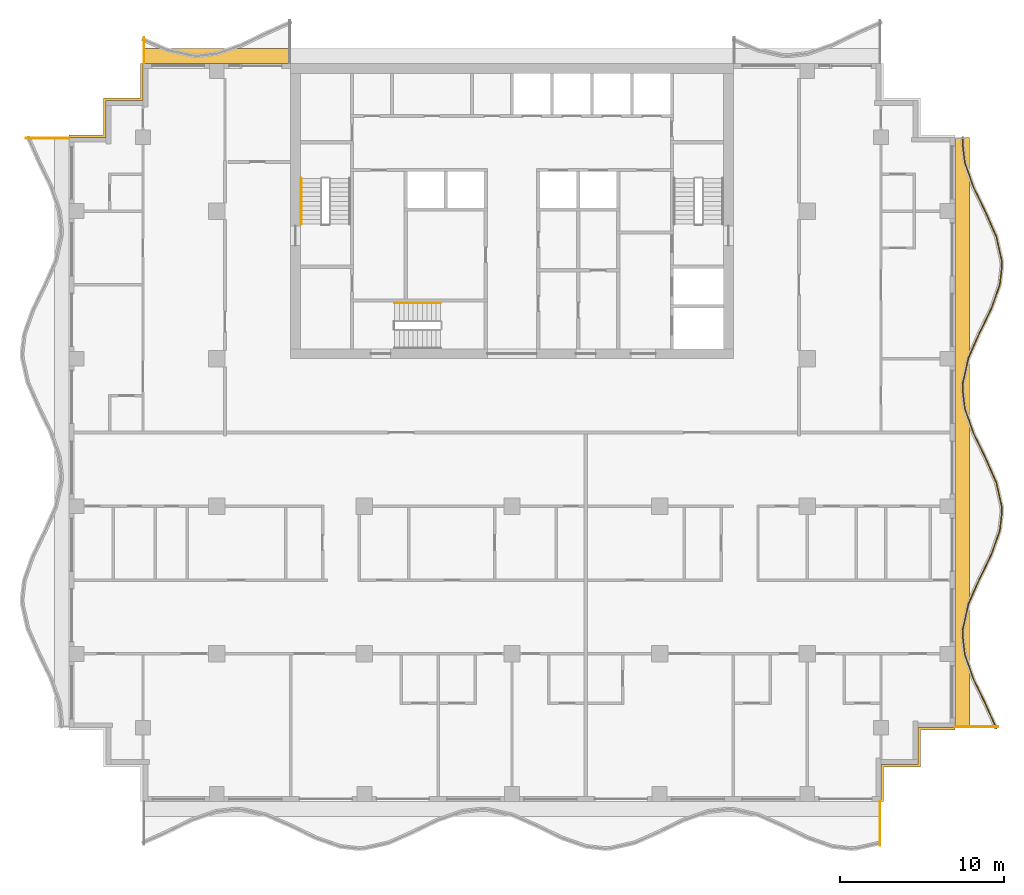
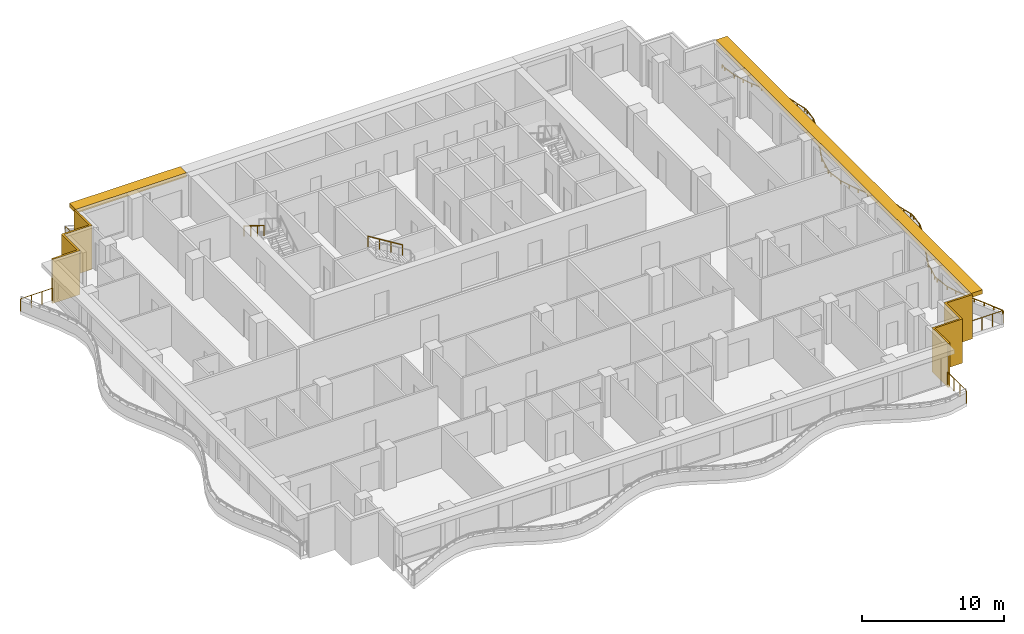
# One storey, part 10 of 11: 7 railings, 4 shading devices.
"""IFC4 building model written with IfcOpenShell, lengths in metres."""

from ifc_helpers import new_model, si_unit, direction, frame, origin, origin_2d, place, context, subcontext, project, spatial, polyline, rectangle, circle, outline, extrude, material, layer, layer_set, type_object, element, save


model = new_model("IFC4")

# Units and contexts
model_context = context("Model", 3, precision=1e-05, world=origin(), true_north=direction((0.0, 1.0)))
body_context = subcontext(model_context, "Body", "Model", "MODEL_VIEW")
ifc_project = project(units=[si_unit("LENGTHUNIT", "METRE"), si_unit("AREAUNIT", "SQUARE_METRE"), si_unit("VOLUMEUNIT", "CUBIC_METRE"), si_unit("PLANEANGLEUNIT", "RADIAN"), si_unit("MASSUNIT", "GRAM", prefix="KILO")], contexts=[model_context])

# Site, building, storey
site_placement = place(None, origin())
site = spatial("IfcSite", under=ifc_project, at=site_placement, CompositionType="ELEMENT")
building_placement = place(site_placement, origin())
building = spatial("IfcBuilding", under=site, at=building_placement, Name="Orbiselva Terraces", CompositionType="ELEMENT")
storey_placement = place(building_placement, frame((0.0, 0.0, 254.0)))
storey = spatial("IfcBuildingStorey", under=building, at=storey_placement, Name="L64", CompositionType="ELEMENT", Elevation=254.0)

# Railings
ifc_material_1 = material(Name="Stainless steel", Category="steel")
railing_type_1 = type_object("IfcRailingType", Name="CORE-HANDRAIL-900", PredefinedType="HANDRAIL", material=ifc_material_1)
railing_1_placement = place(storey_placement, frame((-12.85, 15.5, 2.072727)))
element("IfcRailing", 1, at=railing_1_placement, inside=storey, type_object=railing_type_1, Name="L64 S1 stair handrail 2", PredefinedType="HANDRAIL", context=body_context, shape_type="SweptSolid", body=[
    extrude(circle(Radius=0.024, at=origin_2d()), frame((0.0, 0.0, 0.876), z_axis=(0.0, -0.851088519012, 0.52502222125), x_axis=(1.0, 0.0, 0.0)), (0.0, 0.0, 1.0), 3.289905),
    extrude(circle(Radius=0.021, at=origin_2d()), origin(), (0.0, 0.0, 1.0), 0.852),
    extrude(circle(Radius=0.021, at=origin_2d()), frame((0.0, -0.933333, 0.575758)), (0.0, 0.0, 1.0), 0.852),
    extrude(circle(Radius=0.021, at=origin_2d()), frame((0.0, -1.866667, 1.151515)), (0.0, 0.0, 1.0), 0.852),
    extrude(circle(Radius=0.021, at=origin_2d()), frame((0.0, -2.8, 1.727273)), (0.0, 0.0, 1.0), 0.852),
])
railing_2_placement = place(storey_placement, frame((-4.35, 7.9, 2.072727)))
element("IfcRailing", 2, at=railing_2_placement, inside=storey, type_object=railing_type_1, Name="L64 S3 stair handrail 2", PredefinedType="HANDRAIL", context=body_context, shape_type="SweptSolid", body=[
    extrude(circle(Radius=0.024, at=origin_2d()), frame((0.0, 0.0, 0.876), z_axis=(-0.851088519012, 0.0, 0.52502222125), x_axis=(0.0, -1.0, 0.0)), (0.0, 0.0, 1.0), 3.289905),
    extrude(circle(Radius=0.021, at=origin_2d()), origin(), (0.0, 0.0, 1.0), 0.852),
    extrude(circle(Radius=0.021, at=origin_2d()), frame((-0.933333, 0.0, 0.575758)), (0.0, 0.0, 1.0), 0.852),
    extrude(circle(Radius=0.021, at=origin_2d()), frame((-1.866667, 0.0, 1.151515)), (0.0, 0.0, 1.0), 0.852),
    extrude(circle(Radius=0.021, at=origin_2d()), frame((-2.8, 0.0, 1.727273)), (0.0, 0.0, 1.0), 0.852),
])
ifc_material_2 = material(Name="Bonded two-ply safety glass balustrade, stainless steel posts", Category="steel")
railing_type_2 = type_object("IfcRailingType", Name="ENV-BALUSTRADE-1200", PredefinedType="BALUSTRADE", material=ifc_material_2)
railing_3_placement = place(storey_placement, frame((29.534136, -18.050394, 0.9)))
element("IfcRailing", 3, at=railing_3_placement, inside=storey, type_object=railing_type_2, Name="Balcony balustrade L64 E", PredefinedType="BALUSTRADE", context=body_context, shape_type="SweptSolid", body=[
    extrude(outline(polyline([(0.028868, 0.0), (0.014434, 0.025), (-0.014434, 0.025), (-0.028868, 0.0), (-0.014434, -0.025), (0.014434, -0.025), (0.028868, 0.0)])), frame((0.0, 0.0, 0.275), z_axis=(-0.403150940408, 0.915133498047, 0.0), x_axis=(-0.915133498047, -0.403150940408, 0.0)), (0.0, 0.0, 1.0), 1.636648),
    extrude(outline(polyline([(0.028868, 0.0), (0.014434, 0.025), (-0.014434, 0.025), (-0.028868, 0.0), (-0.014434, -0.025), (0.014434, -0.025), (0.028868, 0.0)])), frame((-0.659816, 1.497751, 0.275), z_axis=(-0.438812048596, 0.898578870221, 0.0), x_axis=(-0.898578870221, -0.438812048596, 0.0)), (0.0, 0.0, 1.0), 1.674225),
    extrude(outline(polyline([(0.028868, 0.0), (0.014434, 0.025), (-0.014434, 0.025), (-0.028868, 0.0), (-0.014434, -0.025), (0.014434, -0.025), (0.028868, 0.0)])), frame((-1.394486, 3.002174, 0.275), z_axis=(-0.330024597479, 0.943972332783, 0.0), x_axis=(-0.943972332783, -0.330024597479, 0.0)), (0.0, 0.0, 1.0), 1.610253),
    extrude(outline(polyline([(0.028868, 0.0), (0.014434, 0.025), (-0.014434, 0.025), (-0.028868, 0.0), (-0.014434, -0.025), (0.014434, -0.025), (0.028868, 0.0)])), frame((-1.925909, 4.522208, 0.275), z_axis=(-0.115482182324, 0.993309551734, 0.0), x_axis=(-0.993309551734, -0.115482182324, 0.0)), (0.0, 0.0, 1.0), 1.156135),
    extrude(outline(polyline([(0.028868, 0.0), (0.014434, 0.025), (-0.014434, 0.025), (-0.028868, 0.0), (-0.014434, -0.025), (0.014434, -0.025), (0.028868, 0.0)])), frame((-2.059422, 5.670608, 0.275), z_axis=(0.03936915532, 0.999224734286, 0.0), x_axis=(-0.999224734286, 0.03936915532, 0.0)), (0.0, 0.0, 1.0), 0.396376),
    extrude(outline(polyline([(0.028868, 0.0), (0.014434, 0.025), (-0.014434, 0.025), (-0.028868, 0.0), (-0.014434, -0.025), (0.014434, -0.025), (0.028868, 0.0)])), frame((-2.043817, 6.066677, 0.275), z_axis=(0.219015500924, 0.97572137947, 0.0), x_axis=(-0.97572137947, 0.219015500924, 0.0)), (0.0, 0.0, 1.0), 1.560867),
    extrude(outline(polyline([(0.028868, 0.0), (0.014434, 0.025), (-0.014434, 0.025), (-0.028868, 0.0), (-0.014434, -0.025), (0.014434, -0.025), (0.028868, 0.0)])), frame((-1.701963, 7.589648, 0.275), z_axis=(0.403150874148, 0.915133527237, 0.0), x_axis=(-0.915133527237, 0.403150874148, 0.0)), (0.0, 0.0, 1.0), 1.653736),
    extrude(outline(polyline([(0.028868, 0.0), (0.014434, 0.025), (-0.014434, 0.025), (-0.028868, 0.0), (-0.014434, -0.025), (0.014434, -0.025), (0.028868, 0.0)])), frame((-1.035258, 9.103037, 0.275), z_axis=(0.438811978768, 0.89857890432, 0.0), x_axis=(-0.89857890432, 0.438811978768, 0.0)), (0.0, 0.0, 1.0), 1.66438),
    extrude(outline(polyline([(0.028868, 0.0), (0.014434, 0.025), (-0.014434, 0.025), (-0.028868, 0.0), (-0.014434, -0.025), (0.014434, -0.025), (0.028868, 0.0)])), frame((-0.304908, 10.598614, 0.275), z_axis=(0.330024754707, 0.943972277814, 0.0), x_axis=(-0.943972277814, 0.330024754707, 0.0)), (0.0, 0.0, 1.0), 1.567807),
    extrude(outline(polyline([(0.028868, 0.0), (0.014434, 0.025), (-0.014434, 0.025), (-0.028868, 0.0), (-0.014434, -0.025), (0.014434, -0.025), (0.028868, 0.0)])), frame((0.212507, 12.07858, 0.275), z_axis=(0.115481264762, 0.993309658409, 0.0), x_axis=(-0.993309658409, 0.115481264762, 0.0)), (0.0, 0.0, 1.0), 1.10902),
    extrude(outline(polyline([(0.028868, 0.0), (0.014434, 0.025), (-0.014434, 0.025), (-0.028868, 0.0), (-0.014434, -0.025), (0.014434, -0.025), (0.028868, 0.0)])), frame((0.340578, 13.18018, 0.275), z_axis=(-0.039364150694, 0.999224931454, 0.0), x_axis=(-0.999224931454, -0.039364150694, 0.0)), (0.0, 0.0, 1.0), 0.354206),
    extrude(outline(polyline([(0.028868, 0.0), (0.014434, 0.025), (-0.014434, 0.025), (-0.028868, 0.0), (-0.014434, -0.025), (0.014434, -0.025), (0.028868, 0.0)])), frame((0.326635, 13.534111, 0.275), z_axis=(-0.219015740235, 0.975721325753, 0.0), x_axis=(-0.975721325753, -0.219015740235, 0.0)), (0.0, 0.0, 1.0), 1.513782),
    extrude(outline(polyline([(0.028868, 0.0), (0.014434, 0.025), (-0.014434, 0.025), (-0.028868, 0.0), (-0.014434, -0.025), (0.014434, -0.025), (0.028868, 0.0)])), frame((-0.004907, 15.01114, 0.275), z_axis=(-0.403151245402, 0.915133363686, 0.0), x_axis=(-0.915133363686, -0.403151245402, 0.0)), (0.0, 0.0, 1.0), 1.624475),
    extrude(outline(polyline([(0.028868, 0.0), (0.014434, 0.025), (-0.014434, 0.025), (-0.028868, 0.0), (-0.014434, -0.025), (0.014434, -0.025), (0.028868, 0.0)])), frame((-0.659816, 16.497751, 0.275), z_axis=(-0.438812048596, 0.898578870221, 0.0), x_axis=(-0.898578870221, -0.438812048596, 0.0)), (0.0, 0.0, 1.0), 1.674225),
    extrude(outline(polyline([(0.028868, 0.0), (0.014434, 0.025), (-0.014434, 0.025), (-0.028868, 0.0), (-0.014434, -0.025), (0.014434, -0.025), (0.028868, 0.0)])), frame((-1.394486, 18.002174, 0.275), z_axis=(-0.330024597479, 0.943972332783, 0.0), x_axis=(-0.943972332783, -0.330024597479, 0.0)), (0.0, 0.0, 1.0), 1.610253),
    extrude(outline(polyline([(0.028868, 0.0), (0.014434, 0.025), (-0.014434, 0.025), (-0.028868, 0.0), (-0.014434, -0.025), (0.014434, -0.025), (0.028868, 0.0)])), frame((-1.925909, 19.522208, 0.275), z_axis=(-0.115482182324, 0.993309551734, 0.0), x_axis=(-0.993309551734, -0.115482182324, 0.0)), (0.0, 0.0, 1.0), 1.156135),
    extrude(outline(polyline([(0.028868, 0.0), (0.014434, 0.025), (-0.014434, 0.025), (-0.028868, 0.0), (-0.014434, -0.025), (0.014434, -0.025), (0.028868, 0.0)])), frame((-2.059422, 20.670608, 0.275), z_axis=(0.03936915532, 0.999224734286, 0.0), x_axis=(-0.999224734286, 0.03936915532, 0.0)), (0.0, 0.0, 1.0), 0.396376),
    extrude(outline(polyline([(0.028868, 0.0), (0.014434, 0.025), (-0.014434, 0.025), (-0.028868, 0.0), (-0.014434, -0.025), (0.014434, -0.025), (0.028868, 0.0)])), frame((-2.043817, 21.066677, 0.275), z_axis=(0.219015500924, 0.97572137947, 0.0), x_axis=(-0.97572137947, 0.219015500924, 0.0)), (0.0, 0.0, 1.0), 1.560867),
    extrude(outline(polyline([(0.028868, 0.0), (0.014434, 0.025), (-0.014434, 0.025), (-0.028868, 0.0), (-0.014434, -0.025), (0.014434, -0.025), (0.028868, 0.0)])), frame((-1.701963, 22.589648, 0.275), z_axis=(0.403150874148, 0.915133527237, 0.0), x_axis=(-0.915133527237, 0.403150874148, 0.0)), (0.0, 0.0, 1.0), 1.653736),
    extrude(outline(polyline([(0.028868, 0.0), (0.014434, 0.025), (-0.014434, 0.025), (-0.028868, 0.0), (-0.014434, -0.025), (0.014434, -0.025), (0.028868, 0.0)])), frame((-1.035258, 24.103037, 0.275), z_axis=(0.438811978768, 0.89857890432, 0.0), x_axis=(-0.89857890432, 0.438811978768, 0.0)), (0.0, 0.0, 1.0), 1.66438),
    extrude(outline(polyline([(0.028868, 0.0), (0.014434, 0.025), (-0.014434, 0.025), (-0.028868, 0.0), (-0.014434, -0.025), (0.014434, -0.025), (0.028868, 0.0)])), frame((-0.304908, 25.598614, 0.275), z_axis=(0.330024754707, 0.943972277814, 0.0), x_axis=(-0.943972277814, 0.330024754707, 0.0)), (0.0, 0.0, 1.0), 1.567807),
    extrude(outline(polyline([(0.028868, 0.0), (0.014434, 0.025), (-0.014434, 0.025), (-0.028868, 0.0), (-0.014434, -0.025), (0.014434, -0.025), (0.028868, 0.0)])), frame((0.212507, 27.07858, 0.275), z_axis=(0.115481264762, 0.993309658409, 0.0), x_axis=(-0.993309658409, 0.115481264762, 0.0)), (0.0, 0.0, 1.0), 1.10902),
    extrude(outline(polyline([(0.028868, 0.0), (0.014434, 0.025), (-0.014434, 0.025), (-0.028868, 0.0), (-0.014434, -0.025), (0.014434, -0.025), (0.028868, 0.0)])), frame((0.340578, 28.18018, 0.275), z_axis=(-0.039364150694, 0.999224931454, 0.0), x_axis=(-0.999224931454, -0.039364150694, 0.0)), (0.0, 0.0, 1.0), 0.354206),
    extrude(outline(polyline([(0.028868, 0.0), (0.014434, 0.025), (-0.014434, 0.025), (-0.028868, 0.0), (-0.014434, -0.025), (0.014434, -0.025), (0.028868, 0.0)])), frame((0.326635, 28.534111, 0.275), z_axis=(-0.219015740235, 0.975721325753, 0.0), x_axis=(-0.975721325753, -0.219015740235, 0.0)), (0.0, 0.0, 1.0), 1.513782),
    extrude(outline(polyline([(0.028868, 0.0), (0.014434, 0.025), (-0.014434, 0.025), (-0.028868, 0.0), (-0.014434, -0.025), (0.014434, -0.025), (0.028868, 0.0)])), frame((-0.004907, 30.01114, 0.275), z_axis=(-0.403151245402, 0.915133363686, 0.0), x_axis=(-0.915133363686, -0.403151245402, 0.0)), (0.0, 0.0, 1.0), 1.624475),
    extrude(outline(polyline([(0.028868, 0.0), (0.014434, 0.025), (-0.014434, 0.025), (-0.028868, 0.0), (-0.014434, -0.025), (0.014434, -0.025), (0.028868, 0.0)])), frame((-0.659816, 31.497751, 0.275), z_axis=(-0.438812048596, 0.898578870221, 0.0), x_axis=(-0.898578870221, -0.438812048596, 0.0)), (0.0, 0.0, 1.0), 1.674225),
    extrude(outline(polyline([(0.028868, 0.0), (0.014434, 0.025), (-0.014434, 0.025), (-0.028868, 0.0), (-0.014434, -0.025), (0.014434, -0.025), (0.028868, 0.0)])), frame((-1.394486, 33.002174, 0.275), z_axis=(-0.330024597479, 0.943972332783, 0.0), x_axis=(-0.943972332783, -0.330024597479, 0.0)), (0.0, 0.0, 1.0), 1.610253),
    extrude(outline(polyline([(0.028868, 0.0), (0.014434, 0.025), (-0.014434, 0.025), (-0.028868, 0.0), (-0.014434, -0.025), (0.014434, -0.025), (0.028868, 0.0)])), frame((-1.925909, 34.522208, 0.275), z_axis=(-0.115482182324, 0.993309551734, 0.0), x_axis=(-0.993309551734, -0.115482182324, 0.0)), (0.0, 0.0, 1.0), 1.156135),
    extrude(outline(polyline([(0.028868, 0.0), (0.014434, 0.025), (-0.014434, 0.025), (-0.028868, 0.0), (-0.014434, -0.025), (0.014434, -0.025), (0.028868, 0.0)])), frame((-2.059422, 35.670608, 0.275), z_axis=(0.039368272023, 0.999224769087, 0.0), x_axis=(-0.999224769087, 0.039368272023, 0.0)), (0.0, 0.0, 1.0), 0.385005),
    extrude(rectangle(XDim=0.05, YDim=0.05, at=origin_2d()), origin(), (0.0, 0.0, 1.0), 0.25),
    extrude(rectangle(XDim=0.05, YDim=0.05, at=origin_2d()), frame((-0.329908, 0.748876, 0.0)), (0.0, 0.0, 1.0), 0.25),
    extrude(rectangle(XDim=0.05, YDim=0.05, at=origin_2d()), frame((-0.659816, 1.497751, 0.0)), (0.0, 0.0, 1.0), 0.25),
    extrude(rectangle(XDim=0.05, YDim=0.05, at=origin_2d()), frame((-1.027151, 2.249963, 0.0)), (0.0, 0.0, 1.0), 0.25),
    extrude(rectangle(XDim=0.05, YDim=0.05, at=origin_2d()), frame((-1.394486, 3.002174, 0.0)), (0.0, 0.0, 1.0), 0.25),
    extrude(rectangle(XDim=0.05, YDim=0.05, at=origin_2d()), frame((-1.660198, 3.762191, 0.0)), (0.0, 0.0, 1.0), 0.25),
    extrude(rectangle(XDim=0.05, YDim=0.05, at=origin_2d()), frame((-1.925909, 4.522208, 0.0)), (0.0, 0.0, 1.0), 0.25),
    extrude(rectangle(XDim=0.05, YDim=0.05, at=origin_2d()), frame((-2.059422, 5.670608, 0.0)), (0.0, 0.0, 1.0), 0.25),
    extrude(rectangle(XDim=0.05, YDim=0.05, at=origin_2d()), frame((-2.043817, 6.066677, 0.0)), (0.0, 0.0, 1.0), 0.25),
    extrude(rectangle(XDim=0.05, YDim=0.05, at=origin_2d()), frame((-1.87289, 6.828162, 0.0)), (0.0, 0.0, 1.0), 0.25),
    extrude(rectangle(XDim=0.05, YDim=0.05, at=origin_2d()), frame((-1.701963, 7.589648, 0.0)), (0.0, 0.0, 1.0), 0.25),
    extrude(rectangle(XDim=0.05, YDim=0.05, at=origin_2d()), frame((-1.36861, 8.346342, 0.0)), (0.0, 0.0, 1.0), 0.25),
    extrude(rectangle(XDim=0.05, YDim=0.05, at=origin_2d()), frame((-1.035258, 9.103037, 0.0)), (0.0, 0.0, 1.0), 0.25),
    extrude(rectangle(XDim=0.05, YDim=0.05, at=origin_2d()), frame((-0.670083, 9.850826, 0.0)), (0.0, 0.0, 1.0), 0.25),
    extrude(rectangle(XDim=0.05, YDim=0.05, at=origin_2d()), frame((-0.304908, 10.598614, 0.0)), (0.0, 0.0, 1.0), 0.25),
    extrude(rectangle(XDim=0.05, YDim=0.05, at=origin_2d()), frame((-0.046201, 11.338597, 0.0)), (0.0, 0.0, 1.0), 0.25),
    extrude(rectangle(XDim=0.05, YDim=0.05, at=origin_2d()), frame((0.212507, 12.07858, 0.0)), (0.0, 0.0, 1.0), 0.25),
    extrude(rectangle(XDim=0.05, YDim=0.05, at=origin_2d()), frame((0.340578, 13.18018, 0.0)), (0.0, 0.0, 1.0), 0.25),
    extrude(rectangle(XDim=0.05, YDim=0.05, at=origin_2d()), frame((0.326635, 13.534111, 0.0)), (0.0, 0.0, 1.0), 0.25),
    extrude(rectangle(XDim=0.05, YDim=0.05, at=origin_2d()), frame((0.160864, 14.272626, 0.0)), (0.0, 0.0, 1.0), 0.25),
    extrude(rectangle(XDim=0.05, YDim=0.05, at=origin_2d()), frame((-0.004907, 15.01114, 0.0)), (0.0, 0.0, 1.0), 0.25),
    extrude(rectangle(XDim=0.05, YDim=0.05, at=origin_2d()), frame((-0.332361, 15.754446, 0.0)), (0.0, 0.0, 1.0), 0.25),
    extrude(rectangle(XDim=0.05, YDim=0.05, at=origin_2d()), frame((-0.659816, 16.497751, 0.0)), (0.0, 0.0, 1.0), 0.25),
    extrude(rectangle(XDim=0.05, YDim=0.05, at=origin_2d()), frame((-1.027151, 17.249963, 0.0)), (0.0, 0.0, 1.0), 0.25),
    extrude(rectangle(XDim=0.05, YDim=0.05, at=origin_2d()), frame((-1.394486, 18.002174, 0.0)), (0.0, 0.0, 1.0), 0.25),
    extrude(rectangle(XDim=0.05, YDim=0.05, at=origin_2d()), frame((-1.660198, 18.762191, 0.0)), (0.0, 0.0, 1.0), 0.25),
    extrude(rectangle(XDim=0.05, YDim=0.05, at=origin_2d()), frame((-1.925909, 19.522208, 0.0)), (0.0, 0.0, 1.0), 0.25),
    extrude(rectangle(XDim=0.05, YDim=0.05, at=origin_2d()), frame((-2.059422, 20.670608, 0.0)), (0.0, 0.0, 1.0), 0.25),
    extrude(rectangle(XDim=0.05, YDim=0.05, at=origin_2d()), frame((-2.043817, 21.066677, 0.0)), (0.0, 0.0, 1.0), 0.25),
    extrude(rectangle(XDim=0.05, YDim=0.05, at=origin_2d()), frame((-1.87289, 21.828162, 0.0)), (0.0, 0.0, 1.0), 0.25),
    extrude(rectangle(XDim=0.05, YDim=0.05, at=origin_2d()), frame((-1.701963, 22.589648, 0.0)), (0.0, 0.0, 1.0), 0.25),
    extrude(rectangle(XDim=0.05, YDim=0.05, at=origin_2d()), frame((-1.36861, 23.346342, 0.0)), (0.0, 0.0, 1.0), 0.25),
    extrude(rectangle(XDim=0.05, YDim=0.05, at=origin_2d()), frame((-1.035258, 24.103037, 0.0)), (0.0, 0.0, 1.0), 0.25),
    extrude(rectangle(XDim=0.05, YDim=0.05, at=origin_2d()), frame((-0.670083, 24.850826, 0.0)), (0.0, 0.0, 1.0), 0.25),
    extrude(rectangle(XDim=0.05, YDim=0.05, at=origin_2d()), frame((-0.304908, 25.598614, 0.0)), (0.0, 0.0, 1.0), 0.25),
    extrude(rectangle(XDim=0.05, YDim=0.05, at=origin_2d()), frame((-0.046201, 26.338597, 0.0)), (0.0, 0.0, 1.0), 0.25),
    extrude(rectangle(XDim=0.05, YDim=0.05, at=origin_2d()), frame((0.212507, 27.07858, 0.0)), (0.0, 0.0, 1.0), 0.25),
    extrude(rectangle(XDim=0.05, YDim=0.05, at=origin_2d()), frame((0.340578, 28.18018, 0.0)), (0.0, 0.0, 1.0), 0.25),
    extrude(rectangle(XDim=0.05, YDim=0.05, at=origin_2d()), frame((0.326635, 28.534111, 0.0)), (0.0, 0.0, 1.0), 0.25),
    extrude(rectangle(XDim=0.05, YDim=0.05, at=origin_2d()), frame((0.160864, 29.272626, 0.0)), (0.0, 0.0, 1.0), 0.25),
    extrude(rectangle(XDim=0.05, YDim=0.05, at=origin_2d()), frame((-0.004907, 30.01114, 0.0)), (0.0, 0.0, 1.0), 0.25),
    extrude(rectangle(XDim=0.05, YDim=0.05, at=origin_2d()), frame((-0.332361, 30.754446, 0.0)), (0.0, 0.0, 1.0), 0.25),
    extrude(rectangle(XDim=0.05, YDim=0.05, at=origin_2d()), frame((-0.659816, 31.497751, 0.0)), (0.0, 0.0, 1.0), 0.25),
    extrude(rectangle(XDim=0.05, YDim=0.05, at=origin_2d()), frame((-1.027151, 32.249962, 0.0)), (0.0, 0.0, 1.0), 0.25),
    extrude(rectangle(XDim=0.05, YDim=0.05, at=origin_2d()), frame((-1.394486, 33.002174, 0.0)), (0.0, 0.0, 1.0), 0.25),
    extrude(rectangle(XDim=0.05, YDim=0.05, at=origin_2d()), frame((-1.660198, 33.762191, 0.0)), (0.0, 0.0, 1.0), 0.25),
    extrude(rectangle(XDim=0.05, YDim=0.05, at=origin_2d()), frame((-1.925909, 34.522208, 0.0)), (0.0, 0.0, 1.0), 0.25),
    extrude(rectangle(XDim=0.05, YDim=0.05, at=origin_2d()), frame((-2.059422, 35.670608, 0.0)), (0.0, 0.0, 1.0), 0.25),
    extrude(rectangle(XDim=0.05, YDim=0.05, at=origin_2d()), frame((-2.044265, 36.055315, 0.0)), (0.0, 0.0, 1.0), 0.25),
])
ifc_material_3 = material(Name="Stainless steel rail and posts", Category="steel")
railing_type_3 = type_object("IfcRailingType", Name="ENV-GUARD-1105", PredefinedType="BALUSTRADE", material=ifc_material_3)
railing_4_placement = place(storey_placement, frame((22.44, -25.169584, 0.0)))
element("IfcRailing", 4, at=railing_4_placement, inside=storey, type_object=railing_type_3, Name="Balcony end guard L64 S", PredefinedType="BALUSTRADE", context=body_context, shape_type="SweptSolid", body=[
    extrude(outline(polyline([(0.028868, 0.0), (0.014434, 0.025), (-0.014434, 0.025), (-0.028868, 0.0), (-0.014434, -0.025), (0.014434, -0.025), (0.028868, 0.0)])), frame((0.0, 0.0, 1.08), z_axis=(0.0, 1.0, 0.0), x_axis=(-1.0, 0.0, 0.0)), (0.0, 0.0, 1.0), 2.644584),
    extrude(rectangle(XDim=0.05, YDim=0.05, at=origin_2d()), origin(), (0.0, 0.0, 1.0), 1.055),
    extrude(rectangle(XDim=0.05, YDim=0.05, at=origin_2d()), frame((0.0, 0.881528, 0.0)), (0.0, 0.0, 1.0), 1.055),
    extrude(rectangle(XDim=0.05, YDim=0.05, at=origin_2d()), frame((0.0, 1.763056, 0.0)), (0.0, 0.0, 1.0), 1.055),
    extrude(rectangle(XDim=0.05, YDim=0.05, at=origin_2d()), frame((0.0, 2.644584, 0.0)), (0.0, 0.0, 1.0), 1.055),
])
railing_5_placement = place(storey_placement, frame((29.626937, -17.94, 0.0)))
element("IfcRailing", 5, at=railing_5_placement, inside=storey, type_object=railing_type_3, Name="Balcony end guard L64 E", PredefinedType="BALUSTRADE", context=body_context, shape_type="SweptSolid", body=[
    extrude(outline(polyline([(0.028868, 0.0), (0.014434, 0.025), (-0.014434, 0.025), (-0.028868, 0.0), (-0.014434, -0.025), (0.014434, -0.025), (0.028868, 0.0)])), frame((0.0, 0.0, 1.08), z_axis=(-1.0, 0.0, 0.0), x_axis=(0.0, -1.0, 0.0)), (0.0, 0.0, 1.0), 2.601937),
    extrude(rectangle(XDim=0.05, YDim=0.05, at=origin_2d()), origin(), (0.0, 0.0, 1.0), 1.055),
    extrude(rectangle(XDim=0.05, YDim=0.05, at=origin_2d()), frame((-0.867312, 0.0, 0.0)), (0.0, 0.0, 1.0), 1.055),
    extrude(rectangle(XDim=0.05, YDim=0.05, at=origin_2d()), frame((-1.734625, 0.0, 0.0)), (0.0, 0.0, 1.0), 1.055),
    extrude(rectangle(XDim=0.05, YDim=0.05, at=origin_2d()), frame((-2.601937, 0.0, 0.0)), (0.0, 0.0, 1.0), 1.055),
])
railing_6_placement = place(storey_placement, frame((-22.44, 24.082553, 0.0)))
element("IfcRailing", 6, at=railing_6_placement, inside=storey, type_object=railing_type_3, Name="Balcony end guard L64 NW", PredefinedType="BALUSTRADE", context=body_context, shape_type="SweptSolid", body=[
    extrude(outline(polyline([(0.028868, 0.0), (0.014434, 0.025), (-0.014434, 0.025), (-0.028868, 0.0), (-0.014434, -0.025), (0.014434, -0.025), (0.028868, 0.0)])), frame((0.0, 0.0, 1.08), z_axis=(0.0, -1.0, 0.0), x_axis=(1.0, 0.0, 0.0)), (0.0, 0.0, 1.0), 1.557553),
    extrude(rectangle(XDim=0.05, YDim=0.05, at=origin_2d()), origin(), (0.0, 0.0, 1.0), 1.055),
    extrude(rectangle(XDim=0.05, YDim=0.05, at=origin_2d()), frame((0.0, -0.778777, 0.0)), (0.0, 0.0, 1.0), 1.055),
    extrude(rectangle(XDim=0.05, YDim=0.05, at=origin_2d()), frame((0.0, -1.557553, 0.0)), (0.0, 0.0, 1.0), 1.055),
])
railing_7_placement = place(storey_placement, frame((-29.626937, 17.94, 0.0)))
element("IfcRailing", 7, at=railing_7_placement, inside=storey, type_object=railing_type_3, Name="Balcony end guard L64 W", PredefinedType="BALUSTRADE", context=body_context, shape_type="SweptSolid", body=[
    extrude(outline(polyline([(0.028868, 0.0), (0.014434, 0.025), (-0.014434, 0.025), (-0.028868, 0.0), (-0.014434, -0.025), (0.014434, -0.025), (0.028868, 0.0)])), frame((0.0, 0.0, 1.08), z_axis=(1.0, 0.0, 0.0), x_axis=(0.0, 1.0, 0.0)), (0.0, 0.0, 1.0), 2.601937),
    extrude(rectangle(XDim=0.05, YDim=0.05, at=origin_2d()), origin(), (0.0, 0.0, 1.0), 1.055),
    extrude(rectangle(XDim=0.05, YDim=0.05, at=origin_2d()), frame((0.867312, 0.0, 0.0)), (0.0, 0.0, 1.0), 1.055),
    extrude(rectangle(XDim=0.05, YDim=0.05, at=origin_2d()), frame((1.734625, 0.0, 0.0)), (0.0, 0.0, 1.0), 1.055),
    extrude(rectangle(XDim=0.05, YDim=0.05, at=origin_2d()), frame((2.601937, 0.0, 0.0)), (0.0, 0.0, 1.0), 1.055),
])

# Shading devices
ifc_material_4 = material(Name="Terracotta louvre screen", Category="masonry")
ifc_layer_1 = layer(ifc_material_4, 0.15)
ifc_layer_set_1 = layer_set([ifc_layer_1], Name="Terracotta louvre screen")
shading_device_type_1 = type_object("IfcShadingDeviceType", Name="ENV-SCREEN-150", PredefinedType="USERDEFINED", material=ifc_layer_set_1)
shading_device_1_placement = place(storey_placement, frame((0.0, 0.0, -0.3)))
element("IfcShadingDevice", 8, at=shading_device_1_placement, inside=storey, type_object=shading_device_type_1, Name="Louvre screen L64 NW", ObjectType="SCREEN", PredefinedType="USERDEFINED", context=body_context, shape_type="SweptSolid", body=[
    extrude(outline(polyline([(-22.65, 22.5), (-22.65, 20.4), (-24.9, 20.4), (-24.9, 18.15), (-27.0, 18.15), (-27.0, 18.0), (-24.75, 18.0), (-24.75, 20.25), (-22.5, 20.25), (-22.5, 22.5), (-22.65, 22.5)])), origin(), (0.0, 0.0, 1.0), 3.8),
])
shading_device_2_placement = place(storey_placement, frame((0.0, 0.0, -0.3)))
element("IfcShadingDevice", 9, at=shading_device_2_placement, inside=storey, type_object=shading_device_type_1, Name="Louvre screen L64 SE", ObjectType="SCREEN", PredefinedType="USERDEFINED", context=body_context, shape_type="SweptSolid", body=[
    extrude(outline(polyline([(22.65, -22.5), (22.65, -20.4), (24.9, -20.4), (24.9, -18.15), (27.0, -18.15), (27.0, -18.0), (24.75, -18.0), (24.75, -20.25), (22.5, -20.25), (22.5, -22.5), (22.65, -22.5)])), origin(), (0.0, 0.0, 1.0), 3.8),
])
ifc_material_5 = material(Name="Terracotta baguette sunshade", Category="masonry")
ifc_layer_2 = layer(ifc_material_5, 0.35)
ifc_layer_set_2 = layer_set([ifc_layer_2], Name="Terracotta baguette sunshade")
shading_device_type_2 = type_object("IfcShadingDeviceType", Name="ENV-SUNSHADE-900x350", PredefinedType="USERDEFINED", material=ifc_layer_set_2)
shading_device_3_placement = place(storey_placement, frame((0.0, 0.0, 3.15)))
element("IfcShadingDevice", 10, at=shading_device_3_placement, inside=storey, type_object=shading_device_type_2, Name="Sunshade band L64 E", ObjectType="SUNSHADE", PredefinedType="USERDEFINED", context=body_context, shape_type="SweptSolid", body=[
    extrude(outline(polyline([(27.9, -18.0), (27.9, 18.0), (27.0, 18.0), (27.0, -18.0), (27.9, -18.0)])), origin(), (0.0, 0.0, 1.0), 0.35),
])
shading_device_4_placement = place(storey_placement, frame((0.0, 0.0, 3.15)))
element("IfcShadingDevice", 11, at=shading_device_4_placement, inside=storey, type_object=shading_device_type_2, Name="Sunshade band L64 NW", ObjectType="SUNSHADE", PredefinedType="USERDEFINED", context=body_context, shape_type="SweptSolid", body=[
    extrude(outline(polyline([(-13.5, 23.4), (-22.5, 23.4), (-22.5, 22.5), (-13.5, 22.5), (-13.5, 23.4)])), origin(), (0.0, 0.0, 1.0), 0.35),
])

save(model, "model.ifc")
